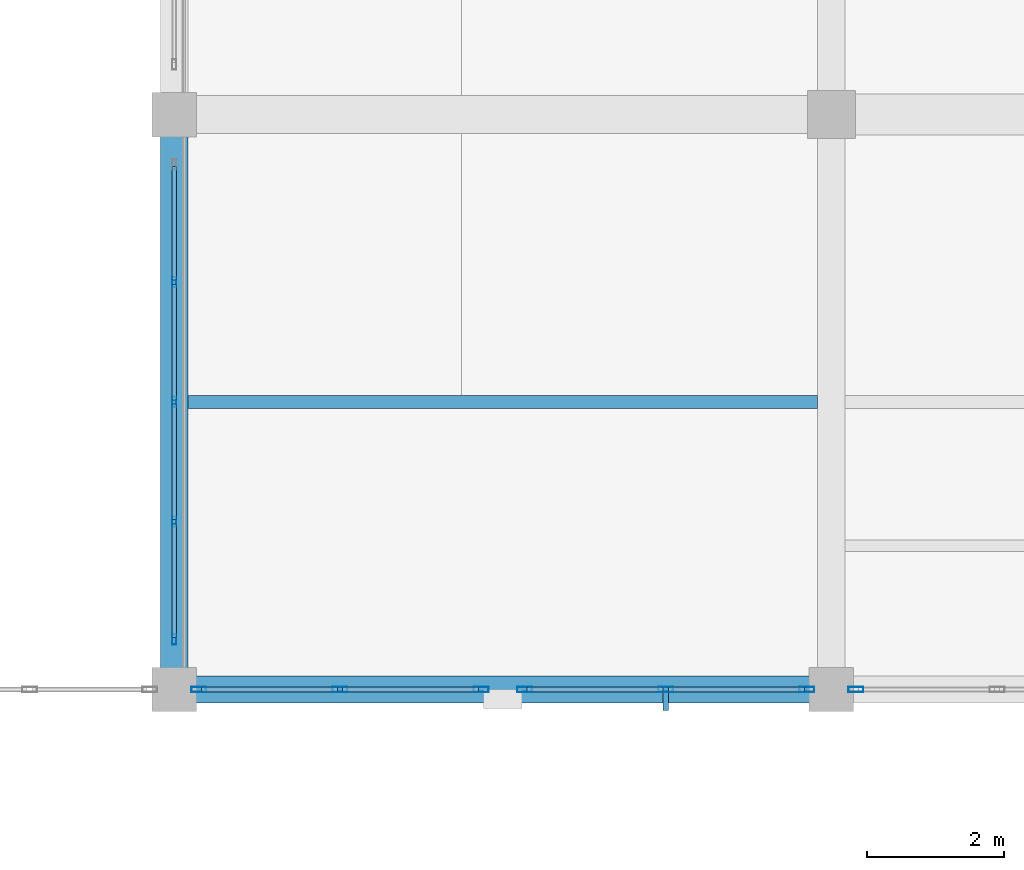
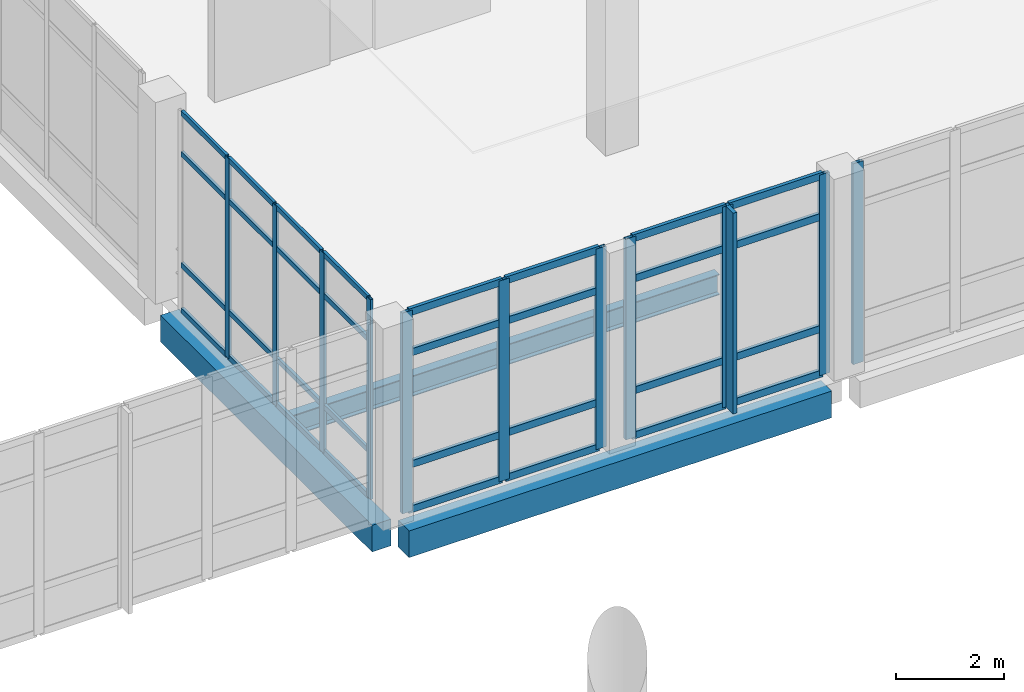
# One storey, part 38 of 102: 44 members, 3 beams, 4 elements without a shape of their own.
"""IFC4 building model written with IfcOpenShell, lengths in metres."""

import ifcopenshell
import ifcopenshell.guid

model = None  # the IFC model being written
_history = None  # IfcOwnerHistory: only IFC2X3 demands one
_inside = {}  # id of a spatial element -> (the spatial element, [elements in it])
_under = {}  # id of a project, library or spatial element -> (it, [spatial elements below it])
_declared = {}  # id of a project -> (the project, [libraries it declares])
_typed = {}  # id of a type object -> (the type object, [elements of that type])
_made_of = {}  # id of a material, layer set ... -> (it, [elements and type objects made of it])


def new_model(schema):
    """Start an empty IFC model of exactly this schema.

    Asked for "IFC4X3", IfcOpenShell would pick the latest addendum, in which some entities
    have other attributes; the version numbers below select the first issue.
    IFC2X3 requires an IfcOwnerHistory on every rooted entity: one is made here for all.
    """
    global model, _history
    if schema == "IFC4X3":
        model = ifcopenshell.file(schema_version=(4, 3, 0, 0))
    else:
        model = ifcopenshell.file(schema=schema)
    _inside.clear()
    _under.clear()
    _declared.clear()
    _typed.clear()
    _made_of.clear()
    _history = None
    if model.schema == "IFC2X3":
        org = make("IfcOrganization", Name="unknown")
        user = make(
            "IfcPersonAndOrganization",
            ThePerson=make("IfcPerson", FamilyName="unknown"),
            TheOrganization=org,
        )
        app = make(
            "IfcApplication",
            ApplicationDeveloper=org,
            Version="unknown",
            ApplicationFullName="unknown",
            ApplicationIdentifier="unknown",
        )
        _history = make(
            "IfcOwnerHistory",
            OwningUser=user,
            OwningApplication=app,
            ChangeAction="ADDED",
            CreationDate=0,
        )
    return model


def make(cls, **values):
    """One entity of the class cls with the attributes given. An attribute that is None is left unset."""
    return model.create_entity(
        cls, **{name: value for name, value in values.items() if value is not None}
    )


def rooted(cls, **values):
    """An entity with a GlobalId (a new one), such as an element, a storey or a relation."""
    return make(cls, GlobalId=ifcopenshell.guid.new(), OwnerHistory=_history, **values)


def si_unit(unit_type, name, prefix=None):
    """IfcSIUnit, for example si_unit("LENGTHUNIT", "METRE", prefix="MILLI")."""
    return make("IfcSIUnit", UnitType=unit_type, Prefix=prefix, Name=name)


def assignment(units):
    """IfcUnitAssignment: the units of a project."""
    return None if units is None else make("IfcUnitAssignment", Units=units)


def point(xyz):
    """IfcCartesianPoint."""
    return None if xyz is None else make("IfcCartesianPoint", Coordinates=xyz)


def direction(xyz):
    """IfcDirection."""
    return None if xyz is None else make("IfcDirection", DirectionRatios=xyz)


def frame(location, z_axis=None, x_axis=None):
    """IfcAxis2Placement3D, a coordinate frame: its origin and axes. An axis left out is left unset."""
    return make(
        "IfcAxis2Placement3D",
        Location=point(location),
        Axis=direction(z_axis),
        RefDirection=direction(x_axis),
    )


def frame_2d(location, x_axis=None):
    """IfcAxis2Placement2D, a coordinate frame in the plane: its origin and x axis."""
    return make(
        "IfcAxis2Placement2D", Location=point(location), RefDirection=direction(x_axis)
    )


def origin():
    """The frame at (0, 0, 0) with its axes left unset."""
    return frame((0.0, 0.0, 0.0))


def origin_2d():
    """The frame at (0, 0) in the plane with its x axis left unset."""
    return frame_2d((0.0, 0.0))


def place(relative_to, where):
    """IfcLocalPlacement: puts the frame where relative to a parent placement (None: the world)."""
    return make(
        "IfcLocalPlacement", PlacementRelTo=relative_to, RelativePlacement=where
    )


def context(
    kind, dimensions, precision=None, world=None, true_north=None, identifier=None
):
    """IfcGeometricRepresentationContext, for example the 3D "Model" context."""
    return make(
        "IfcGeometricRepresentationContext",
        ContextIdentifier=identifier,
        ContextType=kind,
        CoordinateSpaceDimension=dimensions,
        Precision=precision,
        WorldCoordinateSystem=world,
        TrueNorth=true_north,
    )


def subcontext(parent, identifier, kind, view, scale=None):
    """IfcGeometricRepresentationSubContext, for example "Body" below "Model"."""
    return make(
        "IfcGeometricRepresentationSubContext",
        ContextIdentifier=identifier,
        ContextType=kind,
        ParentContext=parent,
        TargetScale=scale,
        TargetView=view,
    )


def project(units=None, contexts=None):
    """IfcProject with its units and contexts."""
    return rooted(
        "IfcProject",
        Name="project",
        RepresentationContexts=contexts,
        UnitsInContext=assignment(units),
    )


def spatial(cls, under=None, at=None, **own):
    """A site, building, storey or space (cls), placed at a placement, below another one or the project."""
    s = rooted(cls, ObjectPlacement=at, **own)
    if under is not None:
        _under.setdefault(under.id(), (under, []))[1].append(s)
    return s


def profile(cls, at=None, kind="AREA", **sizes):
    """A parametric profile (cls). Its sizes go by their IFC names, for example OverallWidth=200.0."""
    return make(cls, ProfileType=kind, Position=at, **sizes)


def rectangle(**sizes):
    """IfcRectangleProfileDef."""
    return profile("IfcRectangleProfileDef", **sizes)


def hollow_rectangle(**sizes):
    """IfcRectangleHollowProfileDef."""
    return profile("IfcRectangleHollowProfileDef", **sizes)


def i_section(**sizes):
    """IfcIShapeProfileDef."""
    return profile("IfcIShapeProfileDef", **sizes)


def extrude(swept, where, along, depth):
    """IfcExtrudedAreaSolid: the profile swept, set in the frame where, extruded along a direction by depth."""
    return make(
        "IfcExtrudedAreaSolid",
        SweptArea=swept,
        Position=where,
        ExtrudedDirection=direction(along),
        Depth=depth,
    )


def shape(context_of_items, identifier, shape_type, items):
    """IfcShapeRepresentation: the items that make up one representation, for example the "Body"."""
    return make(
        "IfcShapeRepresentation",
        ContextOfItems=context_of_items,
        RepresentationIdentifier=identifier,
        RepresentationType=shape_type,
        Items=items,
    )


def material(Name=None, Category=None):
    """IfcMaterial."""
    return make("IfcMaterial", Name=Name, Category=Category)


def layer(
    of_material, thickness, ventilated=None, Name=None, Category=None, Priority=None
):
    """IfcMaterialLayer: one layer of a wall or slab, of a material (None: an air gap)."""
    return make(
        "IfcMaterialLayer",
        Material=of_material,
        LayerThickness=thickness,
        IsVentilated=ventilated,
        Name=Name,
        Category=Category,
        Priority=Priority,
    )


def layer_set(layers, Name=None):
    """IfcMaterialLayerSet."""
    return make("IfcMaterialLayerSet", MaterialLayers=layers, LayerSetName=Name)


def material_profile(
    of_material, cross_section, Name=None, Category=None, Priority=None
):
    """IfcMaterialProfile: a cross section and its material."""
    return make(
        "IfcMaterialProfile",
        Name=Name,
        Material=of_material,
        Profile=cross_section,
        Priority=Priority,
        Category=Category,
    )


def profile_set(profiles, Name=None, composite=None):
    """IfcMaterialProfileSet."""
    return make(
        "IfcMaterialProfileSet",
        Name=Name,
        MaterialProfiles=profiles,
        CompositeProfile=composite,
    )


def made_of(thing, what):
    """Note that an element or type object is made of a material, layer set ...; save() writes the relation."""
    if what is not None:
        _made_of.setdefault(what.id(), (what, []))[1].append(thing)
    return thing


def type_object(cls, material=None, **own):
    """A type object (cls), such as IfcWallType, which elements share."""
    return made_of(rooted(cls, **own), material)


def element(
    cls,
    number,
    at=None,
    inside=None,
    cuts=None,
    type_object=None,
    material=None,
    context=None,
    identifier="Body",
    shape_type=None,
    held_by="IfcProductDefinitionShape",
    body=None,
    shapes=None,
    **own,
):
    """One element of the class cls, such as IfcWall. Its Tag is "e" and its number.

    at: its placement. inside: the storey or other place that contains it. cuts: it is an
    opening in that element (IfcRelVoidsElement). A single representation is given by context,
    identifier, shape_type and body (its items); several are given by shapes. held_by: the class
    of the entity that holds the representations. save() writes the other relations.
    """
    e = rooted(cls, Tag="e%d" % number, ObjectPlacement=at, **own)
    if body is not None:
        shapes = [shape(context, identifier, shape_type, body)]
    if shapes is not None:
        e.Representation = make(held_by, Representations=shapes)
    if inside is not None:
        _inside.setdefault(inside.id(), (inside, []))[1].append(e)
    if cuts is not None:
        rooted(
            "IfcRelVoidsElement", RelatingBuildingElement=cuts, RelatedOpeningElement=e
        )
    if type_object is not None:
        _typed.setdefault(type_object.id(), (type_object, []))[1].append(e)
    return made_of(e, material)


def aggregate(whole, parts):
    """IfcRelAggregates: a whole, such as a stair, and the parts it consists of."""
    return rooted("IfcRelAggregates", RelatingObject=whole, RelatedObjects=parts)


def save(model, path):
    """Write the relations noted so far, then the file.

    IfcRelAggregates (storeys below a building ...), IfcRelContainedInSpatialStructure (elements
    in a storey), IfcRelDefinesByType, IfcRelAssociatesMaterial and IfcRelDeclares: one each for
    every whole, place, type object, material and project.
    """
    for whole, parts in _under.values():
        aggregate(whole, parts)
    for where, things in _inside.values():
        rooted(
            "IfcRelContainedInSpatialStructure",
            RelatedElements=things,
            RelatingStructure=where,
        )
    for kind, things in _typed.values():
        rooted("IfcRelDefinesByType", RelatedObjects=things, RelatingType=kind)
    for what, things in _made_of.values():
        rooted("IfcRelAssociatesMaterial", RelatedObjects=things, RelatingMaterial=what)
    for by, libraries in _declared.values():
        rooted("IfcRelDeclares", RelatingContext=by, RelatedDefinitions=libraries)
    model.write(path)


model = new_model("IFC4")

# Units and contexts
model_context = context("Model", 3, precision=1e-05, world=origin(), true_north=direction((0.0, 1.0)))
body_context = subcontext(model_context, "Body", "Model", "MODEL_VIEW")
ifc_project = project(units=[si_unit("LENGTHUNIT", "METRE"), si_unit("AREAUNIT", "SQUARE_METRE"), si_unit("VOLUMEUNIT", "CUBIC_METRE"), si_unit("PLANEANGLEUNIT", "RADIAN"), si_unit("MASSUNIT", "GRAM", prefix="KILO")], contexts=[model_context])

# Site, building, storey
site_placement = place(None, origin())
site = spatial("IfcSite", under=ifc_project, at=site_placement, CompositionType="ELEMENT")
building_placement = place(site_placement, origin())
building = spatial("IfcBuilding", under=site, at=building_placement, Name="Lornevale Opera House", CompositionType="ELEMENT")
storey_placement = place(building_placement, frame((0.0, 0.0, 5.39990234375)))
storey = spatial("IfcBuildingStorey", under=building, at=storey_placement, Name="L02", CompositionType="ELEMENT", Elevation=5.39990234375)

# Beams
ifc_material_1 = material(Name="Concrete 35 MPa (CSA A23.1 N)", Category="concrete")
ifc_material_profile_1 = material_profile(ifc_material_1, rectangle(XDim=0.39990234375, YDim=0.60009765625, at=origin_2d()), Name="RC400x600")
ifc_profile_set_1 = profile_set([ifc_material_profile_1], Name="Concrete 35 MPa (CSA A23.1 N)")
beam_type_1 = type_object("IfcBeamType", Name="Concrete Spandrel Beam 400x600", PredefinedType="SPANDREL", material=ifc_profile_set_1)
beam_1_placement = place(storey_placement, frame((96.300048828125, 16.800048828125, -0.599853515625), z_axis=(1.0, 0.0, 0.0), x_axis=(0.0, 1.0, 0.0)))
element("IfcBeam", 1, at=beam_1_placement, inside=storey, type_object=beam_type_1, Name="Concrete Spandrel Beam 400x600 1688", PredefinedType="SPANDREL", context=body_context, shape_type="SweptSolid", body=[
    extrude(rectangle(XDim=0.39990234375, YDim=0.60009765625, at=origin_2d()), origin(), (0.0, 0.0, 1.0), 9.0),
])
beam_2_placement = place(storey_placement, frame((96.0, 17.10009765625, -0.599853515625), z_axis=(0.0, 1.0, 0.0), x_axis=(-1.0, 0.0, 0.0)))
element("IfcBeam", 2, at=beam_2_placement, inside=storey, type_object=beam_type_1, Name="Concrete Spandrel Beam 400x600 1907", PredefinedType="SPANDREL", context=body_context, shape_type="SweptSolid", body=[
    extrude(rectangle(XDim=0.39990234375, YDim=0.60009765625, at=origin_2d()), origin(), (0.0, 0.0, 1.0), 7.7998046875),
])

# Curtain wall, members
ifc_material_2 = material(Name="Anodized Oxide-Green Aluminium Framing", Category="aluminium")
ifc_layer_1 = layer(ifc_material_2, 0.14990234375)
ifc_layer_set_1 = layer_set([ifc_layer_1], Name="Anodized Oxide-Green Aluminium Framing")
curtain_wall_type_1 = type_object("IfcCurtainWallType", Name="North-Light Clerestory Curtain Wall M1600", PredefinedType="NOTDEFINED", material=ifc_layer_set_1)
curtain_wall_1_placement = place(storey_placement, origin())
curtain_wall_1 = element("IfcCurtainWall", 3, at=curtain_wall_1_placement, inside=storey, type_object=curtain_wall_type_1, Name="North-Light Clerestory Curtain Wall M1600 CW-174", PredefinedType="NOTDEFINED")
ifc_material_profile_2 = material_profile(ifc_material_2, hollow_rectangle(XDim=0.06005859375, YDim=0.14990234375, WallThickness=0.00390625, at=origin_2d()), Name="ALU60x150x4")
ifc_profile_set_2 = profile_set([ifc_material_profile_2], Name="Anodized Oxide-Green Aluminium Framing")
member_type_1 = type_object("IfcMemberType", Name="Curtain Wall Mullion 60x150", PredefinedType="MULLION", material=ifc_profile_set_2)
member_1_placement = place(storey_placement, frame((96.0, 22.75, 0.0), z_axis=(0.0, 0.0, 1.0), x_axis=(1.0, 0.0, 0.0)))
member_1 = element("IfcMember", 4, at=member_1_placement, type_object=member_type_1, Name="Curtain Wall Mullion 60x150 CW3559", PredefinedType="MULLION", context=body_context, shape_type="SweptSolid", body=[
    extrude(hollow_rectangle(XDim=0.06005859375, YDim=0.14990234375, WallThickness=0.00390625, at=origin_2d()), origin(), (0.0, 0.0, 1.0), 4.5),
])
member_2_placement = place(storey_placement, frame((96.0, 21.0, 0.0), z_axis=(0.0, 0.0, 1.0), x_axis=(1.0, 0.0, 0.0)))
member_2 = element("IfcMember", 5, at=member_2_placement, type_object=member_type_1, Name="Curtain Wall Mullion 60x150 CW3560", PredefinedType="MULLION", context=body_context, shape_type="SweptSolid", body=[
    extrude(hollow_rectangle(XDim=0.06005859375, YDim=0.14990234375, WallThickness=0.00390625, at=origin_2d()), origin(), (0.0, 0.0, 1.0), 4.5),
])
member_3_placement = place(storey_placement, frame((96.0, 19.25, 0.0), z_axis=(0.0, 0.0, 1.0), x_axis=(1.0, 0.0, 0.0)))
member_3 = element("IfcMember", 6, at=member_3_placement, type_object=member_type_1, Name="Curtain Wall Mullion 60x150 CW3561", PredefinedType="MULLION", context=body_context, shape_type="SweptSolid", body=[
    extrude(hollow_rectangle(XDim=0.06005859375, YDim=0.14990234375, WallThickness=0.00390625, at=origin_2d()), origin(), (0.0, 0.0, 1.0), 4.5),
])
member_4_placement = place(storey_placement, frame((96.0, 17.530029296875, 0.0), z_axis=(0.0, 0.0, 1.0), x_axis=(1.0, 0.0, 0.0)))
member_4 = element("IfcMember", 7, at=member_4_placement, type_object=member_type_1, Name="Curtain Wall Mullion 60x150 CW3562", PredefinedType="MULLION", context=body_context, shape_type="SweptSolid", body=[
    extrude(hollow_rectangle(XDim=0.06005859375, YDim=0.14990234375, WallThickness=0.00390625, at=origin_2d()), origin(), (0.0, 0.0, 1.0), 4.5),
])

ifc_layer_2 = layer(ifc_material_2, 0.219970703125)
ifc_layer_set_2 = layer_set([ifc_layer_2], Name="Anodized Oxide-Green Aluminium Framing")
curtain_wall_type_2 = type_object("IfcCurtainWallType", Name="Winter-Garden Curtain Wall M1900", PredefinedType="NOTDEFINED", material=ifc_layer_set_2)
curtain_wall_2_placement = place(storey_placement, origin())
curtain_wall_2 = element("IfcCurtainWall", 8, at=curtain_wall_2_placement, inside=storey, type_object=curtain_wall_type_2, Name="Winter-Garden Curtain Wall M1900 CW-072", PredefinedType="NOTDEFINED")
ifc_material_profile_3 = material_profile(ifc_material_2, hollow_rectangle(XDim=0.074951171875, YDim=0.219970703125, WallThickness=0.0048828125, at=origin_2d()), Name="ALU75x220x5")
ifc_profile_set_3 = profile_set([ifc_material_profile_3], Name="Anodized Oxide-Green Aluminium Framing")
member_type_2 = type_object("IfcMemberType", Name="Curtain Wall Mullion 75x220", PredefinedType="MULLION", material=ifc_profile_set_3)
member_5_placement = place(storey_placement, frame((105.241455078125, 16.800048828125, 0.0), z_axis=(0.0, 0.0, 1.0), x_axis=(0.0, -1.0, 0.0)))
member_5 = element("IfcMember", 9, at=member_5_placement, type_object=member_type_2, Name="Curtain Wall Mullion 75x220 CW1480", PredefinedType="MULLION", context=body_context, shape_type="SweptSolid", body=[
    extrude(hollow_rectangle(XDim=0.074951171875, YDim=0.219970703125, WallThickness=0.0048828125, at=origin_2d()), origin(), (0.0, 0.0, 1.0), 4.52001953125),
])
member_6_placement = place(storey_placement, frame((103.179443359375, 16.800048828125, 0.0), z_axis=(0.0, 0.0, 1.0), x_axis=(0.0, -1.0, 0.0)))
member_6 = element("IfcMember", 10, at=member_6_placement, type_object=member_type_2, Name="Curtain Wall Mullion 75x220 CW1481", PredefinedType="MULLION", context=body_context, shape_type="SweptSolid", body=[
    extrude(hollow_rectangle(XDim=0.074951171875, YDim=0.219970703125, WallThickness=0.0048828125, at=origin_2d()), origin(), (0.0, 0.0, 1.0), 4.52001953125),
])
member_7_placement = place(storey_placement, frame((101.117431640625, 16.800048828125, 0.0), z_axis=(0.0, 0.0, 1.0), x_axis=(0.0, -1.0, 0.0)))
member_7 = element("IfcMember", 11, at=member_7_placement, type_object=member_type_2, Name="Curtain Wall Mullion 75x220 CW1482", PredefinedType="MULLION", context=body_context, shape_type="SweptSolid", body=[
    extrude(hollow_rectangle(XDim=0.074951171875, YDim=0.219970703125, WallThickness=0.0048828125, at=origin_2d()), origin(), (0.0, 0.0, 1.0), 4.52001953125),
])

curtain_wall_3_placement = place(storey_placement, origin())
curtain_wall_3 = element("IfcCurtainWall", 12, at=curtain_wall_3_placement, inside=storey, type_object=curtain_wall_type_2, Name="Winter-Garden Curtain Wall M1900 CW-073", PredefinedType="NOTDEFINED")
member_8_placement = place(storey_placement, frame((100.482421875, 16.800048828125, 0.0), z_axis=(0.0, 0.0, 1.0), x_axis=(0.0, -1.0, 0.0)))
member_8 = element("IfcMember", 13, at=member_8_placement, type_object=member_type_2, Name="Curtain Wall Mullion 75x220 CW1497", PredefinedType="MULLION", context=body_context, shape_type="SweptSolid", body=[
    extrude(hollow_rectangle(XDim=0.074951171875, YDim=0.219970703125, WallThickness=0.0048828125, at=origin_2d()), origin(), (0.0, 0.0, 1.0), 4.52001953125),
])
member_9_placement = place(storey_placement, frame((98.42041015625, 16.800048828125, 0.0), z_axis=(0.0, 0.0, 1.0), x_axis=(0.0, -1.0, 0.0)))
member_9 = element("IfcMember", 14, at=member_9_placement, type_object=member_type_2, Name="Curtain Wall Mullion 75x220 CW1498", PredefinedType="MULLION", context=body_context, shape_type="SweptSolid", body=[
    extrude(hollow_rectangle(XDim=0.074951171875, YDim=0.219970703125, WallThickness=0.0048828125, at=origin_2d()), origin(), (0.0, 0.0, 1.0), 4.52001953125),
])
member_10_placement = place(storey_placement, frame((96.3583984375, 16.800048828125, 0.0), z_axis=(0.0, 0.0, 1.0), x_axis=(0.0, -1.0, 0.0)))
member_10 = element("IfcMember", 15, at=member_10_placement, type_object=member_type_2, Name="Curtain Wall Mullion 75x220 CW1499", PredefinedType="MULLION", context=body_context, shape_type="SweptSolid", body=[
    extrude(hollow_rectangle(XDim=0.074951171875, YDim=0.219970703125, WallThickness=0.0048828125, at=origin_2d()), origin(), (0.0, 0.0, 1.0), 4.52001953125),
])

# Curtain wall, member
curtain_wall_4_placement = place(storey_placement, origin())
curtain_wall_4 = element("IfcCurtainWall", 16, at=curtain_wall_4_placement, inside=storey, type_object=curtain_wall_type_2, Name="Winter-Garden Curtain Wall M1900 CW-075", PredefinedType="NOTDEFINED")
member_11_placement = place(storey_placement, frame((105.95849609375, 16.800048828125, 0.0), z_axis=(0.0, 0.0, 1.0), x_axis=(0.0, -1.0, 0.0)))
member_11 = element("IfcMember", 17, at=member_11_placement, type_object=member_type_2, Name="Curtain Wall Mullion 75x220 CW1533", PredefinedType="MULLION", context=body_context, shape_type="SweptSolid", body=[
    extrude(hollow_rectangle(XDim=0.074951171875, YDim=0.219970703125, WallThickness=0.0048828125, at=origin_2d()), origin(), (0.0, 0.0, 1.0), 4.52001953125),
])
aggregate(curtain_wall_4, [member_11])

# Member
ifc_material_profile_4 = material_profile(ifc_material_2, hollow_rectangle(XDim=0.06005859375, YDim=0.114990234375, WallThickness=0.00390625, at=origin_2d()), Name="ALU60x115x4")
ifc_profile_set_4 = profile_set([ifc_material_profile_4], Name="Anodized Oxide-Green Aluminium Framing")
member_type_3 = type_object("IfcMemberType", Name="Curtain Wall Transom 60x115", PredefinedType="USERDEFINED", material=ifc_profile_set_4)
member_12_placement = place(storey_placement, frame((96.0, 24.43994140625, 0.030029296875), z_axis=(0.0, -1.0, 0.0), x_axis=(1.0, 0.0, 0.0)))
member_12 = element("IfcMember", 18, at=member_12_placement, type_object=member_type_3, Name="Curtain Wall Transom 60x115 CW3563", ObjectType="TRANSOM", PredefinedType="USERDEFINED", context=body_context, shape_type="SweptSolid", body=[
    extrude(hollow_rectangle(XDim=0.06005859375, YDim=0.114990234375, WallThickness=0.00390625, at=origin_2d()), origin(), (0.0, 0.0, 1.0), 1.659912109375),
])

member_13_placement = place(storey_placement, frame((96.0, 24.43994140625, 1.050048828125), z_axis=(0.0, -1.0, 0.0), x_axis=(1.0, 0.0, 0.0)))
member_13 = element("IfcMember", 19, at=member_13_placement, type_object=member_type_3, Name="Curtain Wall Transom 60x115 CW3564", ObjectType="TRANSOM", PredefinedType="USERDEFINED", context=body_context, shape_type="SweptSolid", body=[
    extrude(hollow_rectangle(XDim=0.06005859375, YDim=0.114990234375, WallThickness=0.00390625, at=origin_2d()), origin(), (0.0, 0.0, 1.0), 1.659912109375),
])

member_14_placement = place(storey_placement, frame((96.0, 24.43994140625, 3.550048828125), z_axis=(0.0, -1.0, 0.0), x_axis=(1.0, 0.0, 0.0)))
member_14 = element("IfcMember", 20, at=member_14_placement, type_object=member_type_3, Name="Curtain Wall Transom 60x115 CW3565", ObjectType="TRANSOM", PredefinedType="USERDEFINED", context=body_context, shape_type="SweptSolid", body=[
    extrude(hollow_rectangle(XDim=0.06005859375, YDim=0.114990234375, WallThickness=0.00390625, at=origin_2d()), origin(), (0.0, 0.0, 1.0), 1.659912109375),
])

member_15_placement = place(storey_placement, frame((96.0, 24.43994140625, 4.47021484375), z_axis=(0.0, -1.0, 0.0), x_axis=(1.0, 0.0, 0.0)))
member_15 = element("IfcMember", 21, at=member_15_placement, type_object=member_type_3, Name="Curtain Wall Transom 60x115 CW3566", ObjectType="TRANSOM", PredefinedType="USERDEFINED", context=body_context, shape_type="SweptSolid", body=[
    extrude(hollow_rectangle(XDim=0.06005859375, YDim=0.114990234375, WallThickness=0.00390625, at=origin_2d()), origin(), (0.0, 0.0, 1.0), 1.659912109375),
])

member_16_placement = place(storey_placement, frame((96.0, 22.719970703125, 0.030029296875), z_axis=(0.0, -1.0, 0.0), x_axis=(1.0, 0.0, 0.0)))
member_16 = element("IfcMember", 22, at=member_16_placement, type_object=member_type_3, Name="Curtain Wall Transom 60x115 CW3570", ObjectType="TRANSOM", PredefinedType="USERDEFINED", context=body_context, shape_type="SweptSolid", body=[
    extrude(hollow_rectangle(XDim=0.06005859375, YDim=0.114990234375, WallThickness=0.00390625, at=origin_2d()), origin(), (0.0, 0.0, 1.0), 1.68994140625),
])

member_17_placement = place(storey_placement, frame((96.0, 22.719970703125, 1.050048828125), z_axis=(0.0, -1.0, 0.0), x_axis=(1.0, 0.0, 0.0)))
member_17 = element("IfcMember", 23, at=member_17_placement, type_object=member_type_3, Name="Curtain Wall Transom 60x115 CW3571", ObjectType="TRANSOM", PredefinedType="USERDEFINED", context=body_context, shape_type="SweptSolid", body=[
    extrude(hollow_rectangle(XDim=0.06005859375, YDim=0.114990234375, WallThickness=0.00390625, at=origin_2d()), origin(), (0.0, 0.0, 1.0), 1.68994140625),
])

member_18_placement = place(storey_placement, frame((96.0, 22.719970703125, 3.550048828125), z_axis=(0.0, -1.0, 0.0), x_axis=(1.0, 0.0, 0.0)))
member_18 = element("IfcMember", 24, at=member_18_placement, type_object=member_type_3, Name="Curtain Wall Transom 60x115 CW3572", ObjectType="TRANSOM", PredefinedType="USERDEFINED", context=body_context, shape_type="SweptSolid", body=[
    extrude(hollow_rectangle(XDim=0.06005859375, YDim=0.114990234375, WallThickness=0.00390625, at=origin_2d()), origin(), (0.0, 0.0, 1.0), 1.68994140625),
])

member_19_placement = place(storey_placement, frame((96.0, 22.719970703125, 4.47021484375), z_axis=(0.0, -1.0, 0.0), x_axis=(1.0, 0.0, 0.0)))
member_19 = element("IfcMember", 25, at=member_19_placement, type_object=member_type_3, Name="Curtain Wall Transom 60x115 CW3573", ObjectType="TRANSOM", PredefinedType="USERDEFINED", context=body_context, shape_type="SweptSolid", body=[
    extrude(hollow_rectangle(XDim=0.06005859375, YDim=0.114990234375, WallThickness=0.00390625, at=origin_2d()), origin(), (0.0, 0.0, 1.0), 1.68994140625),
])

member_20_placement = place(storey_placement, frame((96.0, 20.969970703125, 0.030029296875), z_axis=(0.0, -1.0, 0.0), x_axis=(1.0, 0.0, 0.0)))
member_20 = element("IfcMember", 26, at=member_20_placement, type_object=member_type_3, Name="Curtain Wall Transom 60x115 CW3577", ObjectType="TRANSOM", PredefinedType="USERDEFINED", context=body_context, shape_type="SweptSolid", body=[
    extrude(hollow_rectangle(XDim=0.06005859375, YDim=0.114990234375, WallThickness=0.00390625, at=origin_2d()), origin(), (0.0, 0.0, 1.0), 1.68994140625),
])

member_21_placement = place(storey_placement, frame((96.0, 20.969970703125, 1.050048828125), z_axis=(0.0, -1.0, 0.0), x_axis=(1.0, 0.0, 0.0)))
member_21 = element("IfcMember", 27, at=member_21_placement, type_object=member_type_3, Name="Curtain Wall Transom 60x115 CW3578", ObjectType="TRANSOM", PredefinedType="USERDEFINED", context=body_context, shape_type="SweptSolid", body=[
    extrude(hollow_rectangle(XDim=0.06005859375, YDim=0.114990234375, WallThickness=0.00390625, at=origin_2d()), origin(), (0.0, 0.0, 1.0), 1.68994140625),
])

member_22_placement = place(storey_placement, frame((96.0, 20.969970703125, 3.550048828125), z_axis=(0.0, -1.0, 0.0), x_axis=(1.0, 0.0, 0.0)))
member_22 = element("IfcMember", 28, at=member_22_placement, type_object=member_type_3, Name="Curtain Wall Transom 60x115 CW3579", ObjectType="TRANSOM", PredefinedType="USERDEFINED", context=body_context, shape_type="SweptSolid", body=[
    extrude(hollow_rectangle(XDim=0.06005859375, YDim=0.114990234375, WallThickness=0.00390625, at=origin_2d()), origin(), (0.0, 0.0, 1.0), 1.68994140625),
])

member_23_placement = place(storey_placement, frame((96.0, 20.969970703125, 4.47021484375), z_axis=(0.0, -1.0, 0.0), x_axis=(1.0, 0.0, 0.0)))
member_23 = element("IfcMember", 29, at=member_23_placement, type_object=member_type_3, Name="Curtain Wall Transom 60x115 CW3580", ObjectType="TRANSOM", PredefinedType="USERDEFINED", context=body_context, shape_type="SweptSolid", body=[
    extrude(hollow_rectangle(XDim=0.06005859375, YDim=0.114990234375, WallThickness=0.00390625, at=origin_2d()), origin(), (0.0, 0.0, 1.0), 1.68994140625),
])

member_24_placement = place(storey_placement, frame((96.0, 19.219970703125, 0.030029296875), z_axis=(0.0, -1.0, 0.0), x_axis=(1.0, 0.0, 0.0)))
member_24 = element("IfcMember", 30, at=member_24_placement, type_object=member_type_3, Name="Curtain Wall Transom 60x115 CW3584", ObjectType="TRANSOM", PredefinedType="USERDEFINED", context=body_context, shape_type="SweptSolid", body=[
    extrude(hollow_rectangle(XDim=0.06005859375, YDim=0.114990234375, WallThickness=0.00390625, at=origin_2d()), origin(), (0.0, 0.0, 1.0), 1.659912109375),
])

member_25_placement = place(storey_placement, frame((96.0, 19.219970703125, 1.050048828125), z_axis=(0.0, -1.0, 0.0), x_axis=(1.0, 0.0, 0.0)))
member_25 = element("IfcMember", 31, at=member_25_placement, type_object=member_type_3, Name="Curtain Wall Transom 60x115 CW3585", ObjectType="TRANSOM", PredefinedType="USERDEFINED", context=body_context, shape_type="SweptSolid", body=[
    extrude(hollow_rectangle(XDim=0.06005859375, YDim=0.114990234375, WallThickness=0.00390625, at=origin_2d()), origin(), (0.0, 0.0, 1.0), 1.659912109375),
])

member_26_placement = place(storey_placement, frame((96.0, 19.219970703125, 3.550048828125), z_axis=(0.0, -1.0, 0.0), x_axis=(1.0, 0.0, 0.0)))
member_26 = element("IfcMember", 32, at=member_26_placement, type_object=member_type_3, Name="Curtain Wall Transom 60x115 CW3586", ObjectType="TRANSOM", PredefinedType="USERDEFINED", context=body_context, shape_type="SweptSolid", body=[
    extrude(hollow_rectangle(XDim=0.06005859375, YDim=0.114990234375, WallThickness=0.00390625, at=origin_2d()), origin(), (0.0, 0.0, 1.0), 1.659912109375),
])

member_27_placement = place(storey_placement, frame((96.0, 19.219970703125, 4.47021484375), z_axis=(0.0, -1.0, 0.0), x_axis=(1.0, 0.0, 0.0)))
member_27 = element("IfcMember", 33, at=member_27_placement, type_object=member_type_3, Name="Curtain Wall Transom 60x115 CW3587", ObjectType="TRANSOM", PredefinedType="USERDEFINED", context=body_context, shape_type="SweptSolid", body=[
    extrude(hollow_rectangle(XDim=0.06005859375, YDim=0.114990234375, WallThickness=0.00390625, at=origin_2d()), origin(), (0.0, 0.0, 1.0), 1.659912109375),
])

aggregate(curtain_wall_1, [member_1, member_2, member_3, member_4, member_12, member_13, member_14, member_15, member_16, member_17, member_18, member_19, member_20, member_21, member_22, member_23, member_24, member_25, member_26, member_27])

ifc_material_profile_5 = material_profile(ifc_material_2, hollow_rectangle(XDim=0.074951171875, YDim=0.159912109375, WallThickness=0.0048828125, at=origin_2d()), Name="ALU75x160x5")
ifc_profile_set_5 = profile_set([ifc_material_profile_5], Name="Anodized Oxide-Green Aluminium Framing")
member_type_4 = type_object("IfcMemberType", Name="Curtain Wall Transom 75x160", PredefinedType="USERDEFINED", material=ifc_profile_set_5)
member_28_placement = place(storey_placement, frame((105.2041015625, 16.800048828125, 0.03759765625), z_axis=(-1.0, 0.0, 0.0), x_axis=(0.0, -1.0, 0.0)))
member_28 = element("IfcMember", 34, at=member_28_placement, type_object=member_type_4, Name="Curtain Wall Transom 75x160 CW1483", ObjectType="TRANSOM", PredefinedType="USERDEFINED", context=body_context, shape_type="SweptSolid", body=[
    extrude(hollow_rectangle(XDim=0.074951171875, YDim=0.159912109375, WallThickness=0.0048828125, at=origin_2d()), origin(), (0.0, 0.0, 1.0), 1.987060546875),
])

member_29_placement = place(storey_placement, frame((105.2041015625, 16.800048828125, 1.050048828125), z_axis=(-1.0, 0.0, 0.0), x_axis=(0.0, -1.0, 0.0)))
member_29 = element("IfcMember", 35, at=member_29_placement, type_object=member_type_4, Name="Curtain Wall Transom 75x160 CW1484", ObjectType="TRANSOM", PredefinedType="USERDEFINED", context=body_context, shape_type="SweptSolid", body=[
    extrude(hollow_rectangle(XDim=0.074951171875, YDim=0.159912109375, WallThickness=0.0048828125, at=origin_2d()), origin(), (0.0, 0.0, 1.0), 1.987060546875),
])

member_30_placement = place(storey_placement, frame((105.2041015625, 16.800048828125, 3.570068359375), z_axis=(-1.0, 0.0, 0.0), x_axis=(0.0, -1.0, 0.0)))
member_30 = element("IfcMember", 36, at=member_30_placement, type_object=member_type_4, Name="Curtain Wall Transom 75x160 CW1485", ObjectType="TRANSOM", PredefinedType="USERDEFINED", context=body_context, shape_type="SweptSolid", body=[
    extrude(hollow_rectangle(XDim=0.074951171875, YDim=0.159912109375, WallThickness=0.0048828125, at=origin_2d()), origin(), (0.0, 0.0, 1.0), 1.987060546875),
])

member_31_placement = place(storey_placement, frame((105.2041015625, 16.800048828125, 4.482666015625), z_axis=(-1.0, 0.0, 0.0), x_axis=(0.0, -1.0, 0.0)))
member_31 = element("IfcMember", 37, at=member_31_placement, type_object=member_type_4, Name="Curtain Wall Transom 75x160 CW1486", ObjectType="TRANSOM", PredefinedType="USERDEFINED", context=body_context, shape_type="SweptSolid", body=[
    extrude(hollow_rectangle(XDim=0.074951171875, YDim=0.159912109375, WallThickness=0.0048828125, at=origin_2d()), origin(), (0.0, 0.0, 1.0), 1.987060546875),
])

member_32_placement = place(storey_placement, frame((103.14208984375, 16.800048828125, 0.03759765625), z_axis=(-1.0, 0.0, 0.0), x_axis=(0.0, -1.0, 0.0)))
member_32 = element("IfcMember", 38, at=member_32_placement, type_object=member_type_4, Name="Curtain Wall Transom 75x160 CW1490", ObjectType="TRANSOM", PredefinedType="USERDEFINED", context=body_context, shape_type="SweptSolid", body=[
    extrude(hollow_rectangle(XDim=0.074951171875, YDim=0.159912109375, WallThickness=0.0048828125, at=origin_2d()), origin(), (0.0, 0.0, 1.0), 1.987060546875),
])

member_33_placement = place(storey_placement, frame((103.14208984375, 16.800048828125, 1.050048828125), z_axis=(-1.0, 0.0, 0.0), x_axis=(0.0, -1.0, 0.0)))
member_33 = element("IfcMember", 39, at=member_33_placement, type_object=member_type_4, Name="Curtain Wall Transom 75x160 CW1491", ObjectType="TRANSOM", PredefinedType="USERDEFINED", context=body_context, shape_type="SweptSolid", body=[
    extrude(hollow_rectangle(XDim=0.074951171875, YDim=0.159912109375, WallThickness=0.0048828125, at=origin_2d()), origin(), (0.0, 0.0, 1.0), 1.987060546875),
])

member_34_placement = place(storey_placement, frame((103.14208984375, 16.800048828125, 3.570068359375), z_axis=(-1.0, 0.0, 0.0), x_axis=(0.0, -1.0, 0.0)))
member_34 = element("IfcMember", 40, at=member_34_placement, type_object=member_type_4, Name="Curtain Wall Transom 75x160 CW1492", ObjectType="TRANSOM", PredefinedType="USERDEFINED", context=body_context, shape_type="SweptSolid", body=[
    extrude(hollow_rectangle(XDim=0.074951171875, YDim=0.159912109375, WallThickness=0.0048828125, at=origin_2d()), origin(), (0.0, 0.0, 1.0), 1.987060546875),
])

member_35_placement = place(storey_placement, frame((103.14208984375, 16.800048828125, 4.482666015625), z_axis=(-1.0, 0.0, 0.0), x_axis=(0.0, -1.0, 0.0)))
member_35 = element("IfcMember", 41, at=member_35_placement, type_object=member_type_4, Name="Curtain Wall Transom 75x160 CW1493", ObjectType="TRANSOM", PredefinedType="USERDEFINED", context=body_context, shape_type="SweptSolid", body=[
    extrude(hollow_rectangle(XDim=0.074951171875, YDim=0.159912109375, WallThickness=0.0048828125, at=origin_2d()), origin(), (0.0, 0.0, 1.0), 1.987060546875),
])

member_36_placement = place(storey_placement, frame((100.445068359375, 16.800048828125, 0.03759765625), z_axis=(-1.0, 0.0, 0.0), x_axis=(0.0, -1.0, 0.0)))
member_36 = element("IfcMember", 42, at=member_36_placement, type_object=member_type_4, Name="Curtain Wall Transom 75x160 CW1500", ObjectType="TRANSOM", PredefinedType="USERDEFINED", context=body_context, shape_type="SweptSolid", body=[
    extrude(hollow_rectangle(XDim=0.074951171875, YDim=0.159912109375, WallThickness=0.0048828125, at=origin_2d()), origin(), (0.0, 0.0, 1.0), 1.987060546875),
])

member_37_placement = place(storey_placement, frame((100.445068359375, 16.800048828125, 1.050048828125), z_axis=(-1.0, 0.0, 0.0), x_axis=(0.0, -1.0, 0.0)))
member_37 = element("IfcMember", 43, at=member_37_placement, type_object=member_type_4, Name="Curtain Wall Transom 75x160 CW1501", ObjectType="TRANSOM", PredefinedType="USERDEFINED", context=body_context, shape_type="SweptSolid", body=[
    extrude(hollow_rectangle(XDim=0.074951171875, YDim=0.159912109375, WallThickness=0.0048828125, at=origin_2d()), origin(), (0.0, 0.0, 1.0), 1.987060546875),
])

member_38_placement = place(storey_placement, frame((100.445068359375, 16.800048828125, 3.570068359375), z_axis=(-1.0, 0.0, 0.0), x_axis=(0.0, -1.0, 0.0)))
member_38 = element("IfcMember", 44, at=member_38_placement, type_object=member_type_4, Name="Curtain Wall Transom 75x160 CW1502", ObjectType="TRANSOM", PredefinedType="USERDEFINED", context=body_context, shape_type="SweptSolid", body=[
    extrude(hollow_rectangle(XDim=0.074951171875, YDim=0.159912109375, WallThickness=0.0048828125, at=origin_2d()), origin(), (0.0, 0.0, 1.0), 1.987060546875),
])

member_39_placement = place(storey_placement, frame((100.445068359375, 16.800048828125, 4.482666015625), z_axis=(-1.0, 0.0, 0.0), x_axis=(0.0, -1.0, 0.0)))
member_39 = element("IfcMember", 45, at=member_39_placement, type_object=member_type_4, Name="Curtain Wall Transom 75x160 CW1503", ObjectType="TRANSOM", PredefinedType="USERDEFINED", context=body_context, shape_type="SweptSolid", body=[
    extrude(hollow_rectangle(XDim=0.074951171875, YDim=0.159912109375, WallThickness=0.0048828125, at=origin_2d()), origin(), (0.0, 0.0, 1.0), 1.987060546875),
])

member_40_placement = place(storey_placement, frame((98.383056640625, 16.800048828125, 0.03759765625), z_axis=(-1.0, 0.0, 0.0), x_axis=(0.0, -1.0, 0.0)))
member_40 = element("IfcMember", 46, at=member_40_placement, type_object=member_type_4, Name="Curtain Wall Transom 75x160 CW1507", ObjectType="TRANSOM", PredefinedType="USERDEFINED", context=body_context, shape_type="SweptSolid", body=[
    extrude(hollow_rectangle(XDim=0.074951171875, YDim=0.159912109375, WallThickness=0.0048828125, at=origin_2d()), origin(), (0.0, 0.0, 1.0), 1.987060546875),
])

member_41_placement = place(storey_placement, frame((98.383056640625, 16.800048828125, 1.050048828125), z_axis=(-1.0, 0.0, 0.0), x_axis=(0.0, -1.0, 0.0)))
member_41 = element("IfcMember", 47, at=member_41_placement, type_object=member_type_4, Name="Curtain Wall Transom 75x160 CW1508", ObjectType="TRANSOM", PredefinedType="USERDEFINED", context=body_context, shape_type="SweptSolid", body=[
    extrude(hollow_rectangle(XDim=0.074951171875, YDim=0.159912109375, WallThickness=0.0048828125, at=origin_2d()), origin(), (0.0, 0.0, 1.0), 1.987060546875),
])

member_42_placement = place(storey_placement, frame((98.383056640625, 16.800048828125, 3.570068359375), z_axis=(-1.0, 0.0, 0.0), x_axis=(0.0, -1.0, 0.0)))
member_42 = element("IfcMember", 48, at=member_42_placement, type_object=member_type_4, Name="Curtain Wall Transom 75x160 CW1509", ObjectType="TRANSOM", PredefinedType="USERDEFINED", context=body_context, shape_type="SweptSolid", body=[
    extrude(hollow_rectangle(XDim=0.074951171875, YDim=0.159912109375, WallThickness=0.0048828125, at=origin_2d()), origin(), (0.0, 0.0, 1.0), 1.987060546875),
])

member_43_placement = place(storey_placement, frame((98.383056640625, 16.800048828125, 4.482666015625), z_axis=(-1.0, 0.0, 0.0), x_axis=(0.0, -1.0, 0.0)))
member_43 = element("IfcMember", 49, at=member_43_placement, type_object=member_type_4, Name="Curtain Wall Transom 75x160 CW1510", ObjectType="TRANSOM", PredefinedType="USERDEFINED", context=body_context, shape_type="SweptSolid", body=[
    extrude(hollow_rectangle(XDim=0.074951171875, YDim=0.159912109375, WallThickness=0.0048828125, at=origin_2d()), origin(), (0.0, 0.0, 1.0), 1.987060546875),
])

aggregate(curtain_wall_3, [member_8, member_9, member_10, member_36, member_37, member_38, member_39, member_40, member_41, member_42, member_43])

ifc_material_3 = material(Name="Architectural Bronze Solar Louvre Alloy", Category="metal")
ifc_material_profile_6 = material_profile(ifc_material_3, rectangle(XDim=0.080078125, YDim=0.360107421875, at=origin_2d()), Name="FIN80x360")
ifc_profile_set_6 = profile_set([ifc_material_profile_6], Name="Architectural Bronze Solar Louvre Alloy")
member_type_5 = type_object("IfcMemberType", Name="Solar Shading Fin 80x360", PredefinedType="USERDEFINED", material=ifc_profile_set_6)
member_44_placement = place(storey_placement, frame((103.179443359375, 16.674072265625, 0.0), z_axis=(0.0, 0.0, 1.0), x_axis=(-1.0, 0.0, 0.0)))
member_44 = element("IfcMember", 50, at=member_44_placement, type_object=member_type_5, Name="Solar Shading Fin 80x360 FIN0031", ObjectType="SOLAR FIN", PredefinedType="USERDEFINED", context=body_context, shape_type="SweptSolid", body=[
    extrude(rectangle(XDim=0.080078125, YDim=0.360107421875, at=origin_2d()), origin(), (0.0, 0.0, 1.0), 4.52001953125),
])

aggregate(curtain_wall_2, [member_5, member_6, member_7, member_28, member_29, member_30, member_31, member_32, member_33, member_34, member_35, member_44])

# Beam
ifc_material_4 = material(Name="Structural Steel CSA G40.21 Grade 350W (350 MPa)", Category="steel")
ifc_material_profile_7 = material_profile(ifc_material_4, i_section(OverallWidth=0.19189453125, OverallDepth=0.462890625, WebThickness=0.010498046875, FlangeThickness=0.017578125, at=origin_2d()), Name="W460x89")
ifc_profile_set_7 = profile_set([ifc_material_profile_7], Name="Structural Steel CSA G40.21 Grade 350W (350 MPa)")
beam_type_2 = type_object("IfcBeamType", Name="Steel Floor Joist W460x89", PredefinedType="JOIST", material=ifc_profile_set_7)
beam_3_placement = place(storey_placement, frame((96.199951171875, 21.0, -0.54638671875), z_axis=(1.0, 0.0, 0.0), x_axis=(0.0, 1.0, 0.0)))
element("IfcBeam", 51, at=beam_3_placement, inside=storey, type_object=beam_type_2, Name="Steel Floor Joist W460x89 2033", PredefinedType="JOIST", context=body_context, shape_type="SweptSolid", body=[
    extrude(i_section(OverallWidth=0.19189453125, OverallDepth=0.462890625, WebThickness=0.010498046875, FlangeThickness=0.017578125, at=origin_2d()), origin(), (0.0, 0.0, 1.0), 9.199951171875),
])

save(model, "model.ifc")
